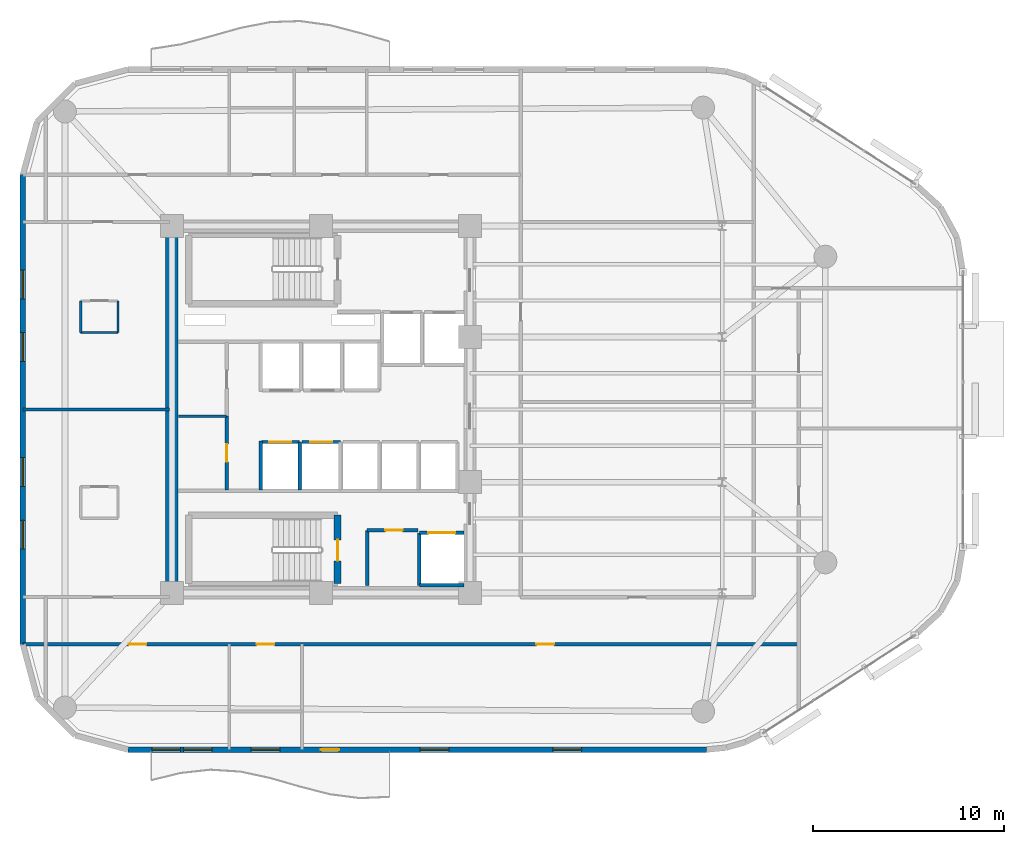
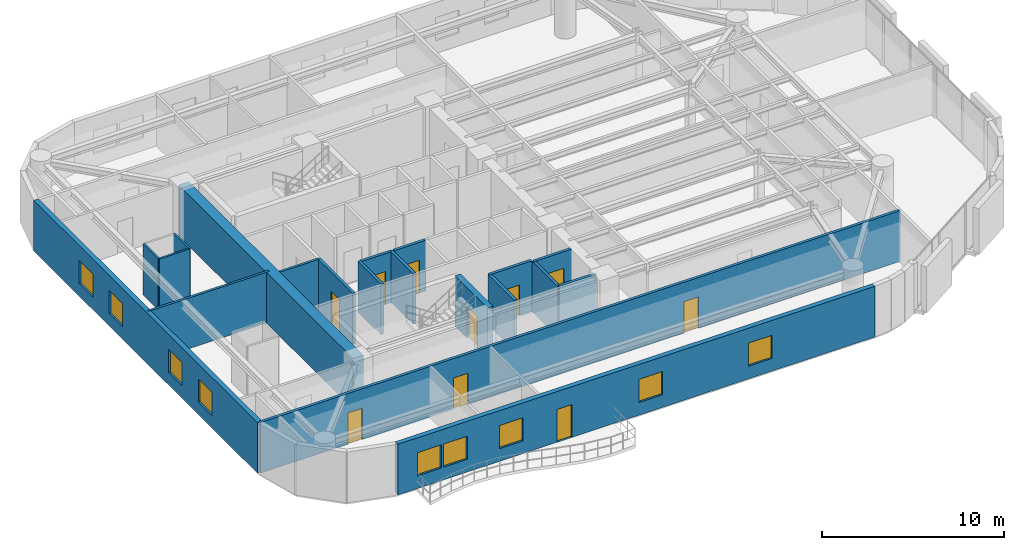
# One storey, part 10 of 15: 20 walls, 10 doors, 9 windows, 19 openings.
"""IFC4 building model written with IfcOpenShell, lengths in metres."""

from ifc_helpers import new_model, si_unit, direction, frame, frame_2d, origin, place, context, subcontext, project, spatial, rectangle, extrude, material, layer, layer_set, type_object, element, fill, save


model = new_model("IFC4")

# Units and contexts
model_context = context("Model", 3, precision=1e-05, world=origin(), true_north=direction((0.0, 1.0)))
body_context = subcontext(model_context, "Body", "Model", "MODEL_VIEW")
ifc_project = project(units=[si_unit("LENGTHUNIT", "METRE"), si_unit("AREAUNIT", "SQUARE_METRE"), si_unit("VOLUMEUNIT", "CUBIC_METRE"), si_unit("PLANEANGLEUNIT", "RADIAN"), si_unit("MASSUNIT", "GRAM", prefix="KILO")], contexts=[model_context])

# Site, building, storey
site_placement = place(None, origin())
site = spatial("IfcSite", under=ifc_project, at=site_placement, CompositionType="ELEMENT")
building_placement = place(site_placement, origin())
building = spatial("IfcBuilding", under=site, at=building_placement, Name="An Khanh Terracotta Commons", CompositionType="ELEMENT")
storey_placement = place(building_placement, frame((0.0, 0.0, 165.39990234375)))
storey = spatial("IfcBuildingStorey", under=building, at=storey_placement, Name="L43", CompositionType="ELEMENT", Elevation=165.39990234375)

# Wall
ifc_material_1 = material(Name="Concrete C60/75", Category="concrete")
ifc_layer_1 = layer(ifc_material_1, 0.64990234375, Name="Concrete C60/75")
ifc_layer_set_1 = layer_set([ifc_layer_1], Name="Concrete C60/75")
wall_type_1 = type_object("IfcWallType", Name="WALL-CORE-650", PredefinedType="SHEAR", material=ifc_layer_set_1)
wall_1_placement = place(storey_placement, frame((21.60009765625, 14.39990234375, 0.0), z_axis=(0.0, 0.0, 1.0), x_axis=(0.0, 1.0, 0.0)))
element("IfcWall", 1, at=wall_1_placement, inside=storey, type_object=wall_type_1, Name="L43 Core Wall CWALL-L43-W", PredefinedType="SHEAR", context=body_context, shape_type="SweptSolid", body=[
    extrude(rectangle(XDim=19.2001953125, YDim=0.64990234375, at=frame_2d((9.60009765625, 0.0))), origin(), (0.0, 0.0, 1.0), 3.400146484375),
])

# Wall, opening, door
ifc_material_2 = material(Name="Fire-Rated Gypsum Board on Steel Stud", Category="steel")
ifc_layer_2 = layer(ifc_material_2, 0.179931640625, Name="Fire-Rated Gypsum Board on Steel Stud")
ifc_layer_set_2 = layer_set([ifc_layer_2], Name="Fire-Rated Gypsum Board on Steel Stud")
wall_type_2 = type_object("IfcWallType", Name="WALL-CORR-180", PredefinedType="PARTITIONING", material=ifc_layer_set_2)
wall_2_placement = place(storey_placement, frame((31.820068359375, 17.679931640625, 0.0), z_axis=(0.0, 0.0, 1.0), x_axis=(1.0, 0.0, 0.0)))
wall_2 = element("IfcWall", 2, at=wall_2_placement, inside=storey, type_object=wall_type_2, Name="L43 Core Wall SSVCW-L43-N", PredefinedType="PARTITIONING", context=body_context, shape_type="SweptSolid", body=[
    extrude(rectangle(XDim=2.659912109375, YDim=0.179931640625, at=frame_2d((1.330078125, 0.0))), origin(), (0.0, 0.0, 1.0), 3.400146484375),
])
opening_1_placement = place(wall_2_placement, frame((0.949951171875, 0.0, 0.0)))
opening_1 = element("IfcOpeningElement", 3, at=opening_1_placement, cuts=wall_2, Name="Opening D-SV", PredefinedType="OPENING", context=body_context, shape_type="SweptSolid", body=[
    extrude(rectangle(XDim=0.89990234375, YDim=2.050048828125, at=frame_2d((0.449951171875, 1.02490234375))), frame((0.0, 0.099853515625, 0.0), z_axis=(0.0, -1.0, 0.0), x_axis=(1.0, 0.0, 0.0)), (0.0, 0.0, 1.0), 0.199951171875),
])
ifc_material_3 = material(Name="Fire-Rated Powder-Coated Steel Door", Category="steel")
door_type_1 = type_object("IfcDoorType", Name="DOOR-SERV-900", OperationType="NOTDEFINED", PredefinedType="DOOR", material=ifc_material_3)
door_1_placement = place(opening_1_placement, origin())
door_1 = element("IfcDoor", 4, at=door_1_placement, inside=storey, type_object=door_type_1, Name="L43 Electrical Switch Cupboard Door", OperationType="SINGLE_SWING_RIGHT", OverallHeight=2.050048828125, OverallWidth=0.89990234375, PredefinedType="DOOR", context=body_context, shape_type="SweptSolid", body=[
    extrude(rectangle(XDim=0.89990234375, YDim=2.050048828125, at=frame_2d((0.449951171875, 1.02490234375))), frame((0.0, 0.02490234375, 0.0), z_axis=(0.0, -1.0, 0.0), x_axis=(1.0, 0.0, 0.0)), (0.0, 0.0, 1.0), 0.050048828125),
])
fill(opening_1, door_1)

# Wall
wall_3_placement = place(storey_placement, frame((31.820068359375, 14.800048828125, 0.0), z_axis=(0.0, 0.0, 1.0), x_axis=(0.0, 1.0, 0.0)))
element("IfcWall", 5, at=wall_3_placement, inside=storey, type_object=wall_type_2, Name="L43 Core Wall SSVCW-L43-W", PredefinedType="PARTITIONING", context=body_context, shape_type="SweptSolid", body=[
    extrude(rectangle(XDim=2.8798828125, YDim=0.179931640625, at=frame_2d((1.43994140625, 0.0))), origin(), (0.0, 0.0, 1.0), 3.400146484375),
])

# Wall, opening, door
wall_4_placement = place(storey_placement, frame((34.550048828125, 17.550048828125, 0.0), z_axis=(0.0, 0.0, 1.0), x_axis=(1.0, 0.0, 0.0)))
wall_4 = element("IfcWall", 6, at=wall_4_placement, inside=storey, type_object=wall_type_2, Name="L43 Core Wall LSH-L43-SVL-01-N", PredefinedType="PARTITIONING", context=body_context, shape_type="SweptSolid", body=[
    extrude(rectangle(XDim=2.349853515625, YDim=0.179931640625, at=frame_2d((1.1748046875, 0.0))), origin(), (0.0, 0.0, 1.0), 3.400146484375),
])
opening_2_placement = place(wall_4_placement, frame((0.47509765625, 0.0, 0.0)))
opening_2 = element("IfcOpeningElement", 7, at=opening_2_placement, cuts=wall_4, Name="Opening LD-SVL-01-L43", PredefinedType="OPENING", context=body_context, shape_type="SweptSolid", body=[
    extrude(rectangle(XDim=1.39990234375, YDim=2.300048828125, at=frame_2d((0.699951171875, 1.14990234375))), frame((0.0, 0.099853515625, 0.0), z_axis=(0.0, -1.0, 0.0), x_axis=(1.0, 0.0, 0.0)), (0.0, 0.0, 1.0), 0.199951171875),
])
ifc_material_4 = material(Name="Heavy-Duty Stainless Steel Goods Landing Door", Category="steel")
door_type_2 = type_object("IfcDoorType", Name="DOOR-LD-SVL-1400", OperationType="NOTDEFINED", PredefinedType="DOOR", material=ifc_material_4)
door_2_placement = place(opening_2_placement, origin())
door_2 = element("IfcDoor", 8, at=door_2_placement, inside=storey, type_object=door_type_2, Name="L43 Lift SVL-01 Sliding Landing Door", OperationType="DOUBLE_DOOR_SLIDING", OverallHeight=2.300048828125, OverallWidth=1.39990234375, PredefinedType="DOOR", context=body_context, shape_type="SweptSolid", body=[
    extrude(rectangle(XDim=1.39990234375, YDim=2.300048828125, at=frame_2d((0.699951171875, 1.14990234375))), frame((0.0, 0.02490234375, 0.0), z_axis=(0.0, -1.0, 0.0), x_axis=(1.0, 0.0, 0.0)), (0.0, 0.0, 1.0), 0.050048828125),
])
fill(opening_2, door_2)

# Walls
wall_5_placement = place(storey_placement, frame((36.89990234375, 14.800048828125, 0.0), z_axis=(0.0, 0.0, 1.0), x_axis=(-1.0, 0.0, 0.0)))
element("IfcWall", 9, at=wall_5_placement, inside=storey, type_object=wall_type_2, Name="L43 Core Wall LSH-L43-SVL-01-S", PredefinedType="PARTITIONING", context=body_context, shape_type="SweptSolid", body=[
    extrude(rectangle(XDim=2.349853515625, YDim=0.179931640625, at=frame_2d((1.1748046875, 0.0))), origin(), (0.0, 0.0, 1.0), 3.400146484375),
])
wall_6_placement = place(storey_placement, frame((34.550048828125, 17.550048828125, 0.0), z_axis=(0.0, 0.0, 1.0), x_axis=(0.0, -1.0, 0.0)))
element("IfcWall", 10, at=wall_6_placement, inside=storey, type_object=wall_type_2, Name="L43 Core Wall LSH-L43-SVL-01-W", PredefinedType="PARTITIONING", context=body_context, shape_type="SweptSolid", body=[
    extrude(rectangle(XDim=2.75, YDim=0.179931640625, at=frame_2d((1.375, 0.0))), origin(), (0.0, 0.0, 1.0), 3.400146484375),
])

# Wall, opening, door
wall_7_placement = place(storey_placement, frame((26.280029296875, 22.300048828125, 0.0), z_axis=(0.0, 0.0, 1.0), x_axis=(1.0, 0.0, 0.0)))
wall_7 = element("IfcWall", 11, at=wall_7_placement, inside=storey, type_object=wall_type_2, Name="L43 Core Wall LSH-L43-PL-M3-N", PredefinedType="PARTITIONING", context=body_context, shape_type="SweptSolid", body=[
    extrude(rectangle(XDim=2.0, YDim=0.179931640625, at=frame_2d((1.0, 0.0))), origin(), (0.0, 0.0, 1.0), 3.400146484375),
])
opening_3_placement = place(wall_7_placement, frame((0.425048828125, 0.0, 0.0)))
opening_3 = element("IfcOpeningElement", 12, at=opening_3_placement, cuts=wall_7, Name="Opening LD-PL-M3-L43", PredefinedType="OPENING", context=body_context, shape_type="SweptSolid", body=[
    extrude(rectangle(XDim=1.14990234375, YDim=2.199951171875, at=frame_2d((0.574951171875, 1.10009765625))), frame((0.0, 0.099853515625, 0.0), z_axis=(0.0, -1.0, 0.0), x_axis=(1.0, 0.0, 0.0)), (0.0, 0.0, 1.0), 0.199951171875),
])
ifc_material_5 = material(Name="Brushed Stainless Steel Passenger Landing Door", Category="steel")
door_type_3 = type_object("IfcDoorType", Name="DOOR-LD-PAX-1150", OperationType="NOTDEFINED", PredefinedType="DOOR", material=ifc_material_5)
door_3_placement = place(opening_3_placement, origin())
door_3 = element("IfcDoor", 13, at=door_3_placement, inside=storey, type_object=door_type_3, Name="L43 Lift PL-M3 Sliding Landing Door", OperationType="DOUBLE_DOOR_SLIDING", OverallHeight=2.199951171875, OverallWidth=1.14990234375, PredefinedType="DOOR", context=body_context, shape_type="SweptSolid", body=[
    extrude(rectangle(XDim=1.14990234375, YDim=2.199951171875, at=frame_2d((0.574951171875, 1.10009765625))), frame((0.0, 0.02490234375, 0.0), z_axis=(0.0, -1.0, 0.0), x_axis=(1.0, 0.0, 0.0)), (0.0, 0.0, 1.0), 0.050048828125),
])
fill(opening_3, door_3)

# Wall
wall_8_placement = place(storey_placement, frame((28.280029296875, 19.800048828125, 0.0), z_axis=(0.0, 0.0, 1.0), x_axis=(0.0, 1.0, 0.0)))
element("IfcWall", 14, at=wall_8_placement, inside=storey, type_object=wall_type_2, Name="L43 Core Wall LSH-L43-PL-M3-E", PredefinedType="PARTITIONING", context=body_context, shape_type="SweptSolid", body=[
    extrude(rectangle(XDim=2.5, YDim=0.179931640625, at=frame_2d((1.25, 0.0))), origin(), (0.0, 0.0, 1.0), 3.400146484375),
])

# Wall, opening, door
wall_9_placement = place(storey_placement, frame((28.419921875, 22.300048828125, 0.0), z_axis=(0.0, 0.0, 1.0), x_axis=(1.0, 0.0, 0.0)))
wall_9 = element("IfcWall", 15, at=wall_9_placement, inside=storey, type_object=wall_type_2, Name="L43 Core Wall LSH-L43-PL-M4-N", PredefinedType="PARTITIONING", context=body_context, shape_type="SweptSolid", body=[
    extrude(rectangle(XDim=2.0, YDim=0.179931640625, at=frame_2d((1.0, 0.0))), origin(), (0.0, 0.0, 1.0), 3.400146484375),
])
opening_4_placement = place(wall_9_placement, frame((0.425048828125, 0.0, 0.0)))
opening_4 = element("IfcOpeningElement", 16, at=opening_4_placement, cuts=wall_9, Name="Opening LD-PL-M4-L43", PredefinedType="OPENING", context=body_context, shape_type="SweptSolid", body=[
    extrude(rectangle(XDim=1.14990234375, YDim=2.199951171875, at=frame_2d((0.574951171875, 1.10009765625))), frame((0.0, 0.099853515625, 0.0), z_axis=(0.0, -1.0, 0.0), x_axis=(1.0, 0.0, 0.0)), (0.0, 0.0, 1.0), 0.199951171875),
])
door_4_placement = place(opening_4_placement, origin())
door_4 = element("IfcDoor", 17, at=door_4_placement, inside=storey, type_object=door_type_3, Name="L43 Lift PL-M4 Sliding Landing Door", OperationType="DOUBLE_DOOR_SLIDING", OverallHeight=2.199951171875, OverallWidth=1.14990234375, PredefinedType="DOOR", context=body_context, shape_type="SweptSolid", body=[
    extrude(rectangle(XDim=1.14990234375, YDim=2.199951171875, at=frame_2d((0.574951171875, 1.10009765625))), frame((0.0, 0.02490234375, 0.0), z_axis=(0.0, -1.0, 0.0), x_axis=(1.0, 0.0, 0.0)), (0.0, 0.0, 1.0), 0.050048828125),
])
fill(opening_4, door_4)

wall_10_placement = place(storey_placement, frame((24.4599609375, 19.800048828125, 0.0), z_axis=(0.0, 0.0, 1.0), x_axis=(0.0, 1.0, 0.0)))
wall_10 = element("IfcWall", 18, at=wall_10_placement, inside=storey, type_object=wall_type_2, Name="L43 Core Wall RECW-L43-E2", PredefinedType="PARTITIONING", context=body_context, shape_type="SweptSolid", body=[
    extrude(rectangle(XDim=3.849853515625, YDim=0.179931640625, at=frame_2d((1.9248046875, 0.0))), origin(), (0.0, 0.0, 1.0), 3.400146484375),
])
opening_5_placement = place(wall_10_placement, frame((1.465087890625, 0.0, 0.0)))
opening_5 = element("IfcOpeningElement", 19, at=opening_5_placement, cuts=wall_10, Name="Opening D-RM", PredefinedType="OPENING", context=body_context, shape_type="SweptSolid", body=[
    extrude(rectangle(XDim=0.919921875, YDim=2.10009765625, at=frame_2d((0.4599609375, 1.050048828125))), frame((0.0, 0.099853515625, 0.0), z_axis=(0.0, -1.0, 0.0), x_axis=(1.0, 0.0, 0.0)), (0.0, 0.0, 1.0), 0.199951171875),
])
ifc_material_6 = material(Name="Engineered Hardwood Timber Leaf", Category="wood")
door_type_4 = type_object("IfcDoorType", Name="DOOR-INT-920", OperationType="NOTDEFINED", PredefinedType="DOOR", material=ifc_material_6)
door_5_placement = place(opening_5_placement, origin())
door_5 = element("IfcDoor", 20, at=door_5_placement, inside=storey, type_object=door_type_4, Name="L43 Floor Pantry and Ice Room Door", OperationType="SINGLE_SWING_RIGHT", OverallHeight=2.10009765625, OverallWidth=0.919921875, PredefinedType="DOOR", context=body_context, shape_type="SweptSolid", body=[
    extrude(rectangle(XDim=0.919921875, YDim=2.10009765625, at=frame_2d((0.4599609375, 1.050048828125))), frame((0.0, 0.02490234375, 0.0), z_axis=(0.0, -1.0, 0.0), x_axis=(1.0, 0.0, 0.0)), (0.0, 0.0, 1.0), 0.050048828125),
])
fill(opening_5, door_5)

# Wall
wall_11_placement = place(storey_placement, frame((26.25, 19.800048828125, 0.0), z_axis=(0.0, 0.0, 1.0), x_axis=(0.0, 1.0, 0.0)))
element("IfcWall", 21, at=wall_11_placement, inside=storey, type_object=wall_type_2, Name="L43 Core Wall RECW-L43-BE2", PredefinedType="PARTITIONING", context=body_context, shape_type="SweptSolid", body=[
    extrude(rectangle(XDim=2.550048828125, YDim=0.179931640625, at=frame_2d((1.27490234375, 0.0))), origin(), (0.0, 0.0, 1.0), 3.400146484375),
])

# Wall, openings, doors
wall_12_placement = place(storey_placement, frame((13.800048828125, 11.719970703125, 0.0), z_axis=(0.0, 0.0, 1.0), x_axis=(1.0, 0.0, 0.0)))
wall_12 = element("IfcWall", 22, at=wall_12_placement, inside=storey, type_object=wall_type_2, Name="L43 Interior Partition IW-L43-E002", PredefinedType="PARTITIONING", context=body_context, shape_type="SweptSolid", body=[
    extrude(rectangle(XDim=40.599853515625, YDim=0.179931640625, at=frame_2d((20.2998046875, 0.0))), origin(), (0.0, 0.0, 1.0), 3.400146484375),
])
opening_6_placement = place(wall_12_placement, frame((12.239990234375, 0.0, 0.0)))
opening_6 = element("IfcOpeningElement", 23, at=opening_6_placement, cuts=wall_12, Name="Opening D-RM", PredefinedType="OPENING", context=body_context, shape_type="SweptSolid", body=[
    extrude(rectangle(XDim=0.919921875, YDim=2.10009765625, at=frame_2d((0.4599609375, 1.050048828125))), frame((0.0, 0.099853515625, 0.0), z_axis=(0.0, -1.0, 0.0), x_axis=(1.0, 0.0, 0.0)), (0.0, 0.0, 1.0), 0.199951171875),
])
opening_7_placement = place(wall_12_placement, frame((5.5400390625, 0.0, 0.0)))
opening_7 = element("IfcOpeningElement", 24, at=opening_7_placement, cuts=wall_12, Name="Opening D-RM", PredefinedType="OPENING", context=body_context, shape_type="SweptSolid", body=[
    extrude(rectangle(XDim=0.919921875, YDim=2.10009765625, at=frame_2d((0.4599609375, 1.050048828125))), frame((0.0, 0.099853515625, 0.0), z_axis=(0.0, -1.0, 0.0), x_axis=(1.0, 0.0, 0.0)), (0.0, 0.0, 1.0), 0.199951171875),
])
opening_8_placement = place(wall_12_placement, frame((26.8798828125, 0.0, 0.0)))
opening_8 = element("IfcOpeningElement", 25, at=opening_8_placement, cuts=wall_12, Name="Opening D-RM", PredefinedType="OPENING", context=body_context, shape_type="SweptSolid", body=[
    extrude(rectangle(XDim=0.919921875, YDim=2.10009765625, at=frame_2d((0.4599609375, 1.050048828125))), frame((0.0, 0.099853515625, 0.0), z_axis=(0.0, -1.0, 0.0), x_axis=(1.0, 0.0, 0.0)), (0.0, 0.0, 1.0), 0.199951171875),
])
door_6_placement = place(opening_6_placement, origin())
door_6 = element("IfcDoor", 26, at=door_6_placement, inside=storey, type_object=door_type_4, Name="L43 HKP Housekeeping Linen Store Door", OperationType="SINGLE_SWING_LEFT", OverallHeight=2.10009765625, OverallWidth=0.919921875, PredefinedType="DOOR", context=body_context, shape_type="SweptSolid", body=[
    extrude(rectangle(XDim=0.919921875, YDim=2.10009765625, at=frame_2d((0.4599609375, 1.050048828125))), frame((0.0, 0.02490234375, 0.0), z_axis=(0.0, -1.0, 0.0), x_axis=(1.0, 0.0, 0.0)), (0.0, 0.0, 1.0), 0.050048828125),
])
fill(opening_6, door_6)
door_7_placement = place(opening_7_placement, origin())
door_7 = element("IfcDoor", 27, at=door_7_placement, inside=storey, type_object=door_type_4, Name="L43 SW1 Academic Seminar Room Door", OperationType="SINGLE_SWING_LEFT", OverallHeight=2.10009765625, OverallWidth=0.919921875, PredefinedType="DOOR", context=body_context, shape_type="SweptSolid", body=[
    extrude(rectangle(XDim=0.919921875, YDim=2.10009765625, at=frame_2d((0.4599609375, 1.050048828125))), frame((0.0, 0.02490234375, 0.0), z_axis=(0.0, -1.0, 0.0), x_axis=(1.0, 0.0, 0.0)), (0.0, 0.0, 1.0), 0.050048828125),
])
fill(opening_7, door_7)
door_8_placement = place(opening_8_placement, origin())
door_8 = element("IfcDoor", 28, at=door_8_placement, inside=storey, type_object=door_type_4, Name="L43 SWE Academic Seminar Room Door", OperationType="SINGLE_SWING_RIGHT", OverallHeight=2.10009765625, OverallWidth=0.919921875, PredefinedType="DOOR", context=body_context, shape_type="SweptSolid", body=[
    extrude(rectangle(XDim=0.919921875, YDim=2.10009765625, at=frame_2d((0.4599609375, 1.050048828125))), frame((0.0, 0.02490234375, 0.0), z_axis=(0.0, -1.0, 0.0), x_axis=(1.0, 0.0, 0.0)), (0.0, 0.0, 1.0), 0.050048828125),
])
fill(opening_8, door_8)

# Wall, openings, door, windows
ifc_material_7 = material(Name="Precast concrete C40/50", Category="concrete")
ifc_layer_3 = layer(ifc_material_7, 0.300048828125, Name="Precast concrete C40/50")
ifc_layer_set_3 = layer_set([ifc_layer_3], Name="Precast concrete C40/50")
wall_type_3 = type_object("IfcWallType", Name="WALL-EXT-300", PredefinedType="SOLIDWALL", material=ifc_layer_set_3)
wall_13_placement = place(storey_placement, frame((19.300048828125, 6.199951171875, 0.0), z_axis=(0.0, 0.0, 1.0), x_axis=(1.0, 0.0, 0.0)))
wall_13 = element("IfcWall", 29, at=wall_13_placement, inside=storey, type_object=wall_type_3, Name="L43 Insulated Terracotta Exterior Wall 4", PredefinedType="SOLIDWALL", context=body_context, shape_type="SweptSolid", body=[
    extrude(rectangle(XDim=30.281982421875, YDim=0.300048828125, at=frame_2d((15.14111328125, 0.0))), origin(), (0.0, 0.0, 1.0), 3.400146484375),
])
opening_9_placement = place(wall_13_placement, frame((10.10009765625, 0.0, 0.0)))
opening_9 = element("IfcOpeningElement", 30, at=opening_9_placement, cuts=wall_13, Name="Opening D-BAL", PredefinedType="OPENING", context=body_context, shape_type="SweptSolid", body=[
    extrude(rectangle(XDim=0.949951171875, YDim=2.199951171875, at=frame_2d((0.47509765625, 1.10009765625))), frame((0.0, 0.159912109375, 0.0), z_axis=(0.0, -1.0, 0.0), x_axis=(1.0, 0.0, 0.0)), (0.0, 0.0, 1.0), 0.320068359375),
])
opening_10_placement = place(wall_13_placement, frame((1.25, 0.0, 0.85009765625)))
opening_10 = element("IfcOpeningElement", 31, at=opening_10_placement, cuts=wall_13, Name="Opening W-03", PredefinedType="OPENING", context=body_context, shape_type="SweptSolid", body=[
    extrude(rectangle(XDim=1.5, YDim=1.550048828125, at=frame_2d((0.75, 0.77490234375))), frame((0.0, 0.159912109375, 0.0), z_axis=(0.0, -1.0, 0.0), x_axis=(1.0, 0.0, 0.0)), (0.0, 0.0, 1.0), 0.320068359375),
])
opening_11_placement = place(wall_13_placement, frame((2.89990234375, 0.0, 0.85009765625)))
opening_11 = element("IfcOpeningElement", 32, at=opening_11_placement, cuts=wall_13, Name="Opening W-03", PredefinedType="OPENING", context=body_context, shape_type="SweptSolid", body=[
    extrude(rectangle(XDim=1.5, YDim=1.550048828125, at=frame_2d((0.75, 0.77490234375))), frame((0.0, 0.159912109375, 0.0), z_axis=(0.0, -1.0, 0.0), x_axis=(1.0, 0.0, 0.0)), (0.0, 0.0, 1.0), 0.320068359375),
])
opening_12_placement = place(wall_13_placement, frame((6.449951171875, 0.0, 0.85009765625)))
opening_12 = element("IfcOpeningElement", 33, at=opening_12_placement, cuts=wall_13, Name="Opening W-03", PredefinedType="OPENING", context=body_context, shape_type="SweptSolid", body=[
    extrude(rectangle(XDim=1.5, YDim=1.550048828125, at=frame_2d((0.75, 0.77490234375))), frame((0.0, 0.159912109375, 0.0), z_axis=(0.0, -1.0, 0.0), x_axis=(1.0, 0.0, 0.0)), (0.0, 0.0, 1.0), 0.320068359375),
])
opening_13_placement = place(wall_13_placement, frame((15.2939453125, 0.0, 0.85009765625)))
opening_13 = element("IfcOpeningElement", 34, at=opening_13_placement, cuts=wall_13, Name="Opening W-03", PredefinedType="OPENING", context=body_context, shape_type="SweptSolid", body=[
    extrude(rectangle(XDim=1.5, YDim=1.550048828125, at=frame_2d((0.75, 0.77490234375))), frame((0.0, 0.159912109375, 0.0), z_axis=(0.0, -1.0, 0.0), x_axis=(1.0, 0.0, 0.0)), (0.0, 0.0, 1.0), 0.320068359375),
])
opening_14_placement = place(wall_13_placement, frame((22.238037109375, 0.0, 0.85009765625)))
opening_14 = element("IfcOpeningElement", 35, at=opening_14_placement, cuts=wall_13, Name="Opening W-03", PredefinedType="OPENING", context=body_context, shape_type="SweptSolid", body=[
    extrude(rectangle(XDim=1.5, YDim=1.550048828125, at=frame_2d((0.75, 0.77490234375))), frame((0.0, 0.159912109375, 0.0), z_axis=(0.0, -1.0, 0.0), x_axis=(1.0, 0.0, 0.0)), (0.0, 0.0, 1.0), 0.320068359375),
])
ifc_material_8 = material(Name="Thermally Broken Aluminium and Low-E Glass", Category="aluminium")
door_type_5 = type_object("IfcDoorType", Name="DOOR-BALC-950", OperationType="NOTDEFINED", PredefinedType="DOOR", material=ifc_material_8)
door_9_placement = place(opening_9_placement, origin())
door_9 = element("IfcDoor", 36, at=door_9_placement, inside=storey, type_object=door_type_5, Name="L43 S Wave Balcony Glazed Door", OperationType="SINGLE_SWING_LEFT", OverallHeight=2.199951171875, OverallWidth=0.949951171875, PredefinedType="DOOR", context=body_context, shape_type="SweptSolid", body=[
    extrude(rectangle(XDim=0.949951171875, YDim=2.199951171875, at=frame_2d((0.47509765625, 1.10009765625))), frame((0.0, 0.02490234375, 0.0), z_axis=(0.0, -1.0, 0.0), x_axis=(1.0, 0.0, 0.0)), (0.0, 0.0, 1.0), 0.050048828125),
])
fill(opening_9, door_9)
window_type = type_object("IfcWindowType", Name="WIN-Z3-1500x1550", PartitioningType="DOUBLE_PANEL_VERTICAL", PredefinedType="WINDOW", material=ifc_material_8)
window_1_placement = place(opening_10_placement, origin())
window_1 = element("IfcWindow", 37, at=window_1_placement, inside=storey, type_object=window_type, Name="L43 Operable Casement Window 4.1", OverallHeight=1.550048828125, OverallWidth=1.5, PartitioningType="DOUBLE_PANEL_VERTICAL", PredefinedType="WINDOW", context=body_context, shape_type="SweptSolid", body=[
    extrude(rectangle(XDim=1.5, YDim=1.550048828125, at=frame_2d((0.75, 0.77490234375))), frame((0.0, 0.030029296875, 0.0), z_axis=(0.0, -1.0, 0.0), x_axis=(1.0, 0.0, 0.0)), (0.0, 0.0, 1.0), 0.06005859375),
])
fill(opening_10, window_1)
window_2_placement = place(opening_11_placement, origin())
window_2 = element("IfcWindow", 38, at=window_2_placement, inside=storey, type_object=window_type, Name="L43 Operable Casement Window 4.2", OverallHeight=1.550048828125, OverallWidth=1.5, PartitioningType="DOUBLE_PANEL_VERTICAL", PredefinedType="WINDOW", context=body_context, shape_type="SweptSolid", body=[
    extrude(rectangle(XDim=1.5, YDim=1.550048828125, at=frame_2d((0.75, 0.77490234375))), frame((0.0, 0.030029296875, 0.0), z_axis=(0.0, -1.0, 0.0), x_axis=(1.0, 0.0, 0.0)), (0.0, 0.0, 1.0), 0.06005859375),
])
fill(opening_11, window_2)
window_3_placement = place(opening_12_placement, origin())
window_3 = element("IfcWindow", 39, at=window_3_placement, inside=storey, type_object=window_type, Name="L43 Operable Casement Window 4.3", OverallHeight=1.550048828125, OverallWidth=1.5, PartitioningType="DOUBLE_PANEL_VERTICAL", PredefinedType="WINDOW", context=body_context, shape_type="SweptSolid", body=[
    extrude(rectangle(XDim=1.5, YDim=1.550048828125, at=frame_2d((0.75, 0.77490234375))), frame((0.0, 0.030029296875, 0.0), z_axis=(0.0, -1.0, 0.0), x_axis=(1.0, 0.0, 0.0)), (0.0, 0.0, 1.0), 0.06005859375),
])
fill(opening_12, window_3)
window_4_placement = place(opening_13_placement, origin())
window_4 = element("IfcWindow", 40, at=window_4_placement, inside=storey, type_object=window_type, Name="L43 Operable Casement Window 4.4", OverallHeight=1.550048828125, OverallWidth=1.5, PartitioningType="DOUBLE_PANEL_VERTICAL", PredefinedType="WINDOW", context=body_context, shape_type="SweptSolid", body=[
    extrude(rectangle(XDim=1.5, YDim=1.550048828125, at=frame_2d((0.75, 0.77490234375))), frame((0.0, 0.030029296875, 0.0), z_axis=(0.0, -1.0, 0.0), x_axis=(1.0, 0.0, 0.0)), (0.0, 0.0, 1.0), 0.06005859375),
])
fill(opening_13, window_4)
window_5_placement = place(opening_14_placement, origin())
window_5 = element("IfcWindow", 41, at=window_5_placement, inside=storey, type_object=window_type, Name="L43 Operable Casement Window 4.5", OverallHeight=1.550048828125, OverallWidth=1.5, PartitioningType="DOUBLE_PANEL_VERTICAL", PredefinedType="WINDOW", context=body_context, shape_type="SweptSolid", body=[
    extrude(rectangle(XDim=1.5, YDim=1.550048828125, at=frame_2d((0.75, 0.77490234375))), frame((0.0, 0.030029296875, 0.0), z_axis=(0.0, -1.0, 0.0), x_axis=(1.0, 0.0, 0.0)), (0.0, 0.0, 1.0), 0.06005859375),
])
fill(opening_14, window_5)

# Wall, openings, windows
wall_14_placement = place(storey_placement, frame((13.800048828125, 36.300048828125, 0.0), z_axis=(0.0, 0.0, 1.0), x_axis=(0.0, -1.0, 0.0)))
wall_14 = element("IfcWall", 42, at=wall_14_placement, inside=storey, type_object=wall_type_3, Name="L43 Insulated Terracotta Exterior Wall 24", PredefinedType="SOLIDWALL", context=body_context, shape_type="SweptSolid", body=[
    extrude(rectangle(XDim=24.60009765625, YDim=0.300048828125, at=frame_2d((12.300048828125, 0.0))), origin(), (0.0, 0.0, 1.0), 3.400146484375),
])
opening_15_placement = place(wall_14_placement, frame((5.0029296875, 0.0, 0.85009765625)))
opening_15 = element("IfcOpeningElement", 43, at=opening_15_placement, cuts=wall_14, Name="Opening W-03", PredefinedType="OPENING", context=body_context, shape_type="SweptSolid", body=[
    extrude(rectangle(XDim=1.5, YDim=1.550048828125, at=frame_2d((0.75, 0.77490234375))), frame((0.0, 0.159912109375, 0.0), z_axis=(0.0, -1.0, 0.0), x_axis=(1.0, 0.0, 0.0)), (0.0, 0.0, 1.0), 0.320068359375),
])
opening_16_placement = place(wall_14_placement, frame((8.277099609375, 0.0, 0.85009765625)))
opening_16 = element("IfcOpeningElement", 44, at=opening_16_placement, cuts=wall_14, Name="Opening W-03", PredefinedType="OPENING", context=body_context, shape_type="SweptSolid", body=[
    extrude(rectangle(XDim=1.5, YDim=1.550048828125, at=frame_2d((0.75, 0.77490234375))), frame((0.0, 0.159912109375, 0.0), z_axis=(0.0, -1.0, 0.0), x_axis=(1.0, 0.0, 0.0)), (0.0, 0.0, 1.0), 0.320068359375),
])
opening_17_placement = place(wall_14_placement, frame((14.822998046875, 0.0, 0.85009765625)))
opening_17 = element("IfcOpeningElement", 45, at=opening_17_placement, cuts=wall_14, Name="Opening W-03", PredefinedType="OPENING", context=body_context, shape_type="SweptSolid", body=[
    extrude(rectangle(XDim=1.5, YDim=1.550048828125, at=frame_2d((0.75, 0.77490234375))), frame((0.0, 0.159912109375, 0.0), z_axis=(0.0, -1.0, 0.0), x_axis=(1.0, 0.0, 0.0)), (0.0, 0.0, 1.0), 0.320068359375),
])
opening_18_placement = place(wall_14_placement, frame((18.096923828125, 0.0, 0.85009765625)))
opening_18 = element("IfcOpeningElement", 46, at=opening_18_placement, cuts=wall_14, Name="Opening W-03", PredefinedType="OPENING", context=body_context, shape_type="SweptSolid", body=[
    extrude(rectangle(XDim=1.5, YDim=1.550048828125, at=frame_2d((0.75, 0.77490234375))), frame((0.0, 0.159912109375, 0.0), z_axis=(0.0, -1.0, 0.0), x_axis=(1.0, 0.0, 0.0)), (0.0, 0.0, 1.0), 0.320068359375),
])
window_6_placement = place(opening_15_placement, origin())
window_6 = element("IfcWindow", 47, at=window_6_placement, inside=storey, type_object=window_type, Name="L43 Operable Casement Window 24.1", OverallHeight=1.550048828125, OverallWidth=1.5, PartitioningType="DOUBLE_PANEL_VERTICAL", PredefinedType="WINDOW", context=body_context, shape_type="SweptSolid", body=[
    extrude(rectangle(XDim=1.5, YDim=1.550048828125, at=frame_2d((0.75, 0.77490234375))), frame((0.0, 0.030029296875, 0.0), z_axis=(0.0, -1.0, 0.0), x_axis=(1.0, 0.0, 0.0)), (0.0, 0.0, 1.0), 0.06005859375),
])
fill(opening_15, window_6)
window_7_placement = place(opening_16_placement, origin())
window_7 = element("IfcWindow", 48, at=window_7_placement, inside=storey, type_object=window_type, Name="L43 Operable Casement Window 24.2", OverallHeight=1.550048828125, OverallWidth=1.5, PartitioningType="DOUBLE_PANEL_VERTICAL", PredefinedType="WINDOW", context=body_context, shape_type="SweptSolid", body=[
    extrude(rectangle(XDim=1.5, YDim=1.550048828125, at=frame_2d((0.75, 0.77490234375))), frame((0.0, 0.030029296875, 0.0), z_axis=(0.0, -1.0, 0.0), x_axis=(1.0, 0.0, 0.0)), (0.0, 0.0, 1.0), 0.06005859375),
])
fill(opening_16, window_7)
window_8_placement = place(opening_17_placement, origin())
window_8 = element("IfcWindow", 49, at=window_8_placement, inside=storey, type_object=window_type, Name="L43 Operable Casement Window 24.3", OverallHeight=1.550048828125, OverallWidth=1.5, PartitioningType="DOUBLE_PANEL_VERTICAL", PredefinedType="WINDOW", context=body_context, shape_type="SweptSolid", body=[
    extrude(rectangle(XDim=1.5, YDim=1.550048828125, at=frame_2d((0.75, 0.77490234375))), frame((0.0, 0.030029296875, 0.0), z_axis=(0.0, -1.0, 0.0), x_axis=(1.0, 0.0, 0.0)), (0.0, 0.0, 1.0), 0.06005859375),
])
fill(opening_17, window_8)
window_9_placement = place(opening_18_placement, origin())
window_9 = element("IfcWindow", 50, at=window_9_placement, inside=storey, type_object=window_type, Name="L43 Operable Casement Window 24.4", OverallHeight=1.550048828125, OverallWidth=1.5, PartitioningType="DOUBLE_PANEL_VERTICAL", PredefinedType="WINDOW", context=body_context, shape_type="SweptSolid", body=[
    extrude(rectangle(XDim=1.5, YDim=1.550048828125, at=frame_2d((0.75, 0.77490234375))), frame((0.0, 0.030029296875, 0.0), z_axis=(0.0, -1.0, 0.0), x_axis=(1.0, 0.0, 0.0)), (0.0, 0.0, 1.0), 0.06005859375),
])
fill(opening_18, window_9)

# Walls
ifc_material_9 = material(Name="Acoustic Gypsum Board Partition")
ifc_layer_4 = layer(ifc_material_9, 0.14990234375, Name="Acoustic Gypsum Board Partition")
ifc_layer_set_4 = layer_set([ifc_layer_4], Name="Acoustic Gypsum Board Partition")
wall_type_4 = type_object("IfcWallType", Name="WALL-PART-150", PredefinedType="PARTITIONING", material=ifc_layer_set_4)
wall_15_placement = place(storey_placement, frame((21.949951171875, 23.64990234375, 0.0), z_axis=(0.0, 0.0, 1.0), x_axis=(1.0, 0.0, 0.0)))
element("IfcWall", 51, at=wall_15_placement, inside=storey, type_object=wall_type_4, Name="L43 Core Wall RECW-L43-M", PredefinedType="PARTITIONING", context=body_context, shape_type="SweptSolid", body=[
    extrude(rectangle(XDim=2.510009765625, YDim=0.14990234375, at=frame_2d((1.2548828125, 0.0))), origin(), (0.0, 0.0, 1.0), 3.400146484375),
])
wall_16_placement = place(storey_placement, frame((13.800048828125, 24.0, 0.0), z_axis=(0.0, 0.0, 1.0), x_axis=(1.0, 0.0, 0.0)))
element("IfcWall", 52, at=wall_16_placement, inside=storey, type_object=wall_type_4, Name="L43 Interior Partition IW-L43-E006", PredefinedType="PARTITIONING", context=body_context, shape_type="SweptSolid", body=[
    extrude(rectangle(XDim=7.679931640625, YDim=0.14990234375, at=frame_2d((3.83984375, 0.0))), origin(), (0.0, 0.0, 1.0), 3.400146484375),
])

# Wall, opening, door
ifc_material_10 = material(Name="Concrete C50/60", Category="concrete")
ifc_layer_5 = layer(ifc_material_10, 0.35009765625, Name="Concrete C50/60")
ifc_layer_set_5 = layer_set([ifc_layer_5], Name="Concrete C50/60")
wall_type_5 = type_object("IfcWallType", Name="WALL-SHAFT-350", PredefinedType="SOLIDWALL", material=ifc_layer_set_5)
wall_17_placement = place(storey_placement, frame((30.27001953125, 14.889892578125, 0.0), z_axis=(0.0, 0.0, 1.0), x_axis=(0.0, 1.0, 0.0)))
wall_17 = element("IfcWall", 53, at=wall_17_placement, inside=storey, type_object=wall_type_5, Name="L43 Core Wall STW-L43-S-E", PredefinedType="SOLIDWALL", context=body_context, shape_type="SweptSolid", body=[
    extrude(rectangle(XDim=3.580078125, YDim=0.35009765625, at=frame_2d((1.7900390625, 0.0))), origin(), (0.0, 0.0, 1.0), 3.400146484375),
])
opening_19_placement = place(wall_17_placement, frame((1.18994140625, 0.0, 0.0)))
opening_19 = element("IfcOpeningElement", 54, at=opening_19_placement, cuts=wall_17, Name="Opening D-ST", PredefinedType="OPENING", context=body_context, shape_type="SweptSolid", body=[
    extrude(rectangle(XDim=1.10009765625, YDim=2.14990234375, at=frame_2d((0.550048828125, 1.074951171875))), frame((0.0, 0.18505859375, 0.0), z_axis=(0.0, -1.0, 0.0), x_axis=(1.0, 0.0, 0.0)), (0.0, 0.0, 1.0), 0.3701171875),
])
ifc_material_11 = material(Name="Fire-Rated Steel Leaf and Frame", Category="steel")
door_type_6 = type_object("IfcDoorType", Name="DOOR-STAIR-1100", OperationType="NOTDEFINED", PredefinedType="DOOR", material=ifc_material_11)
door_10_placement = place(opening_19_placement, origin())
door_10 = element("IfcDoor", 55, at=door_10_placement, inside=storey, type_object=door_type_6, Name="L43 Stair ST-02 Fire Door", OperationType="SINGLE_SWING_LEFT", OverallHeight=2.14990234375, OverallWidth=1.10009765625, PredefinedType="DOOR", context=body_context, shape_type="SweptSolid", body=[
    extrude(rectangle(XDim=1.10009765625, YDim=2.14990234375, at=frame_2d((0.550048828125, 1.074951171875))), frame((0.0, 0.02490234375, 0.0), z_axis=(0.0, -1.0, 0.0), x_axis=(1.0, 0.0, 0.0)), (0.0, 0.0, 1.0), 0.050048828125),
])
fill(opening_19, door_10)

# Walls
ifc_material_12 = material(Name="Moisture-Resistant Cement Board Partition")
ifc_layer_6 = layer(ifc_material_12, 0.1201171875, Name="Moisture-Resistant Cement Board Partition")
ifc_layer_set_6 = layer_set([ifc_layer_6], Name="Moisture-Resistant Cement Board Partition")
wall_type_6 = type_object("IfcWallType", Name="WALL-WET-120", PredefinedType="PARTITIONING", material=ifc_layer_set_6)
wall_18_placement = place(storey_placement, frame((18.77490234375, 28.034912109375, 0.0), z_axis=(0.0, 0.0, 1.0), x_axis=(-1.0, 0.0, 0.0)))
element("IfcWall", 56, at=wall_18_placement, inside=storey, type_object=wall_type_6, Name="L43 Interior Partition IW-L43-WW2-BS", PredefinedType="PARTITIONING", context=body_context, shape_type="SweptSolid", body=[
    extrude(rectangle(XDim=1.949951171875, YDim=0.1201171875, at=frame_2d((0.97509765625, 0.0))), origin(), (0.0, 0.0, 1.0), 3.400146484375),
])
for number, where, z_axis, x_axis, name in (
    (57, (16.824951171875, 29.68505859375, 0.0), (0.0, 0.0, 1.0), (0.0, -1.0, 0.0), "L43 Interior Partition IW-L43-WW2-BW"),
    (58, (18.77490234375, 28.034912109375, 0.0), (0.0, 0.0, 1.0), (0.0, 1.0, 0.0), "L43 Interior Partition IW-L43-WW2-BE"),
):
    element("IfcWall", number, at=place(storey_placement, frame(where, z_axis=z_axis, x_axis=x_axis)), inside=storey, type_object=wall_type_6, Name=name, PredefinedType="PARTITIONING", context=body_context, shape_type="SweptSolid", body=[
        extrude(rectangle(XDim=1.650146484375, YDim=0.1201171875, at=frame_2d((0.8251953125, 0.0))), origin(), (0.0, 0.0, 1.0), 3.400146484375),
    ])

save(model, "model.ifc")
